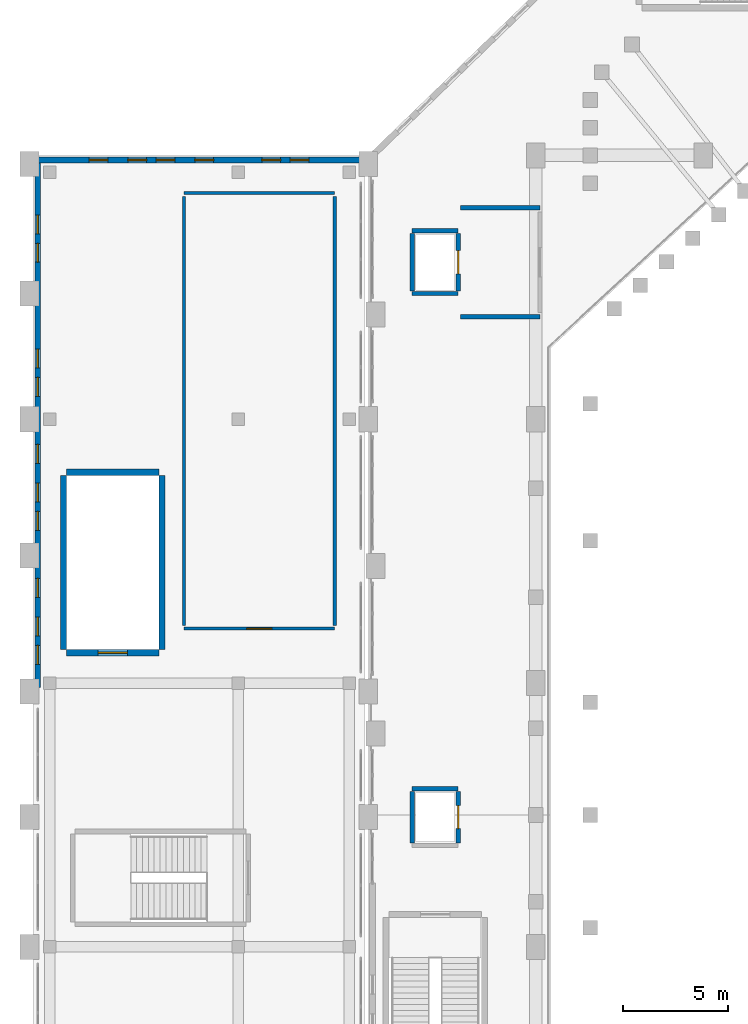
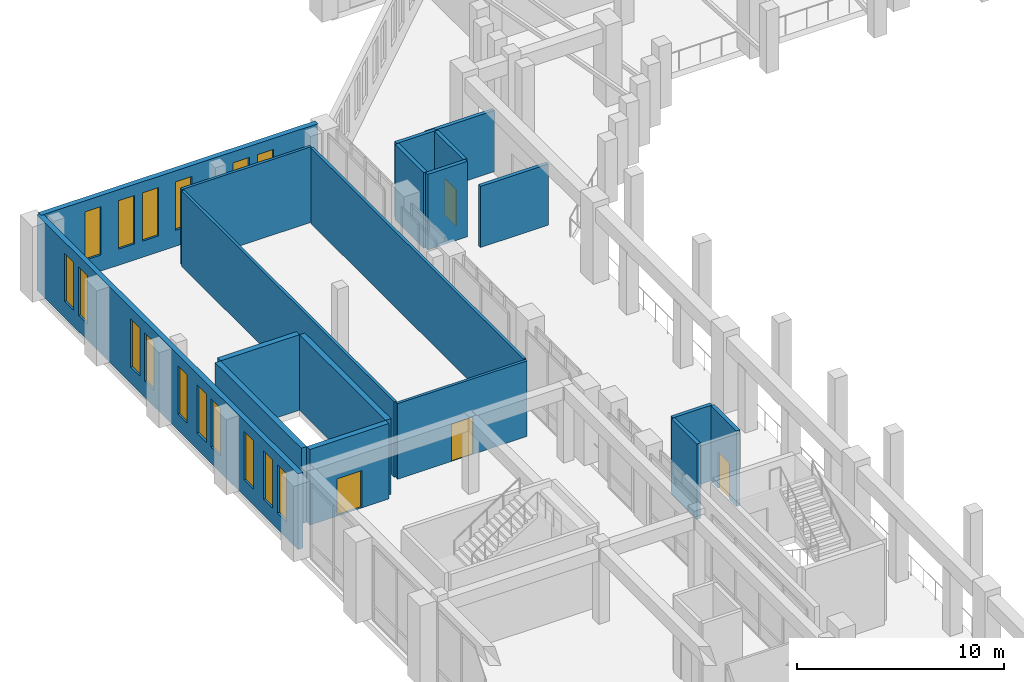
# One storey, part 94 of 126: 19 walls, 16 windows, 4 doors, 20 openings.
"""IFC4 building model written with IfcOpenShell, lengths in metres."""

from ifc_helpers import new_model, si_unit, derived_unit, direction, frame, frame_2d, origin, place, context, subcontext, project, spatial, rectangle, extrude, material, layer, layer_set, type_object, element, fill, save


model = new_model("IFC4")

# Units and contexts
model_context = context("Model", 3, precision=1e-05, world=origin(), true_north=direction((0.0, 1.0)))
body_context = subcontext(model_context, "Body", "Model", "MODEL_VIEW")
ifc_project = project(units=[si_unit("LENGTHUNIT", "METRE"), si_unit("AREAUNIT", "SQUARE_METRE"), si_unit("VOLUMEUNIT", "CUBIC_METRE"), si_unit("PLANEANGLEUNIT", "RADIAN"), si_unit("MASSUNIT", "GRAM", prefix="KILO"), derived_unit("THERMALTRANSMITTANCEUNIT", [(si_unit("MASSUNIT", "GRAM", prefix="KILO"), 1), (si_unit("TIMEUNIT", "SECOND"), -3), (si_unit("THERMODYNAMICTEMPERATUREUNIT", "KELVIN"), -1)])], contexts=[model_context])

# Site, building, storey
site_placement = place(None, origin())
site = spatial("IfcSite", under=ifc_project, at=site_placement, CompositionType="ELEMENT")
building_placement = place(site_placement, origin())
building = spatial("IfcBuilding", under=site, at=building_placement, Name="Valcora Ridge Arena", CompositionType="ELEMENT")
storey_placement = place(building_placement, frame((0.0, 0.0, 11.39990234375)))
storey = spatial("IfcBuildingStorey", under=building, at=storey_placement, Name="L02", CompositionType="ELEMENT", Elevation=11.39990234375)

# Wall, openings, windows
ifc_material_1 = material(Name="Bush-hammered Andean travertine on concrete backup C40/50", Category="masonry")
ifc_layer_1 = layer(ifc_material_1, 0.280029296875, Name="Bush-hammered Andean travertine on concrete backup C40/50")
ifc_layer_set_1 = layer_set([ifc_layer_1], Name="Bush-hammered Andean travertine on concrete backup C40/50")
wall_type_1 = type_object("IfcWallType", Name="TY-WALL-EW-TRV-28-44", PredefinedType="STANDARD", material=ifc_layer_set_1)
wall_1_placement = place(storey_placement, frame((0.219970703125, 70.199951171875, 0.0), z_axis=(0.0, 0.0, 1.0), x_axis=(0.0, 1.0, 0.0)))
wall_1 = element("IfcWall", 1, at=wall_1_placement, inside=storey, type_object=wall_type_1, Name="EW-TRV-28-44 WAL-EW-0088", PredefinedType="STANDARD", context=body_context, shape_type="SweptSolid", body=[
    extrude(rectangle(XDim=25.179931640625, YDim=0.280029296875, at=frame_2d((12.58984375, 0.0))), origin(), (0.0, 0.0, 1.0), 4.4501953125),
])
opening_1_placement = place(wall_1_placement, frame((1.10009765625, 0.0, 0.949951171875)))
opening_1 = element("IfcOpeningElement", 2, at=opening_1_placement, cuts=wall_1, Name="Opening W-GLAN-90X285", PredefinedType="OPENING", context=body_context, shape_type="SweptSolid", body=[
    extrude(rectangle(XDim=0.89990234375, YDim=2.85009765625, at=frame_2d((0.449951171875, 1.425048828125))), frame((0.0, 0.14990234375, 0.0), z_axis=(0.0, -1.0, 0.0), x_axis=(1.0, 0.0, 0.0)), (0.0, 0.0, 1.0), 0.300048828125),
])
opening_2_placement = place(wall_1_placement, frame((2.449951171875, 0.0, 0.949951171875)))
opening_2 = element("IfcOpeningElement", 3, at=opening_2_placement, cuts=wall_1, Name="Opening W-GLAN-90X285", PredefinedType="OPENING", context=body_context, shape_type="SweptSolid", body=[
    extrude(rectangle(XDim=0.89990234375, YDim=2.85009765625, at=frame_2d((0.449951171875, 1.425048828125))), frame((0.0, 0.14990234375, 0.0), z_axis=(0.0, -1.0, 0.0), x_axis=(1.0, 0.0, 0.0)), (0.0, 0.0, 1.0), 0.300048828125),
])
opening_3_placement = place(wall_1_placement, frame((4.300048828125, 0.0, 0.949951171875)))
opening_3 = element("IfcOpeningElement", 4, at=opening_3_placement, cuts=wall_1, Name="Opening W-GLAN-90X285", PredefinedType="OPENING", context=body_context, shape_type="SweptSolid", body=[
    extrude(rectangle(XDim=0.89990234375, YDim=2.85009765625, at=frame_2d((0.449951171875, 1.425048828125))), frame((0.0, 0.14990234375, 0.0), z_axis=(0.0, -1.0, 0.0), x_axis=(1.0, 0.0, 0.0)), (0.0, 0.0, 1.0), 0.300048828125),
])
opening_4_placement = place(wall_1_placement, frame((7.5, 0.0, 0.949951171875)))
opening_4 = element("IfcOpeningElement", 5, at=opening_4_placement, cuts=wall_1, Name="Opening W-GLAN-90X285", PredefinedType="OPENING", context=body_context, shape_type="SweptSolid", body=[
    extrude(rectangle(XDim=0.89990234375, YDim=2.85009765625, at=frame_2d((0.449951171875, 1.425048828125))), frame((0.0, 0.14990234375, 0.0), z_axis=(0.0, -1.0, 0.0), x_axis=(1.0, 0.0, 0.0)), (0.0, 0.0, 1.0), 0.300048828125),
])
opening_5_placement = place(wall_1_placement, frame((8.85009765625, 0.0, 0.949951171875)))
opening_5 = element("IfcOpeningElement", 6, at=opening_5_placement, cuts=wall_1, Name="Opening W-GLAN-90X285", PredefinedType="OPENING", context=body_context, shape_type="SweptSolid", body=[
    extrude(rectangle(XDim=0.89990234375, YDim=2.85009765625, at=frame_2d((0.449951171875, 1.425048828125))), frame((0.0, 0.14990234375, 0.0), z_axis=(0.0, -1.0, 0.0), x_axis=(1.0, 0.0, 0.0)), (0.0, 0.0, 1.0), 0.300048828125),
])
opening_6_placement = place(wall_1_placement, frame((10.699951171875, 0.0, 0.949951171875)))
opening_6 = element("IfcOpeningElement", 7, at=opening_6_placement, cuts=wall_1, Name="Opening W-GLAN-90X285", PredefinedType="OPENING", context=body_context, shape_type="SweptSolid", body=[
    extrude(rectangle(XDim=0.89990234375, YDim=2.85009765625, at=frame_2d((0.449951171875, 1.425048828125))), frame((0.0, 0.14990234375, 0.0), z_axis=(0.0, -1.0, 0.0), x_axis=(1.0, 0.0, 0.0)), (0.0, 0.0, 1.0), 0.300048828125),
])
opening_7_placement = place(wall_1_placement, frame((13.89990234375, 0.0, 0.949951171875)))
opening_7 = element("IfcOpeningElement", 8, at=opening_7_placement, cuts=wall_1, Name="Opening W-GLAN-90X285", PredefinedType="OPENING", context=body_context, shape_type="SweptSolid", body=[
    extrude(rectangle(XDim=0.89990234375, YDim=2.85009765625, at=frame_2d((0.449951171875, 1.425048828125))), frame((0.0, 0.14990234375, 0.0), z_axis=(0.0, -1.0, 0.0), x_axis=(1.0, 0.0, 0.0)), (0.0, 0.0, 1.0), 0.300048828125),
])
opening_8_placement = place(wall_1_placement, frame((15.25, 0.0, 0.949951171875)))
opening_8 = element("IfcOpeningElement", 9, at=opening_8_placement, cuts=wall_1, Name="Opening W-GLAN-90X285", PredefinedType="OPENING", context=body_context, shape_type="SweptSolid", body=[
    extrude(rectangle(XDim=0.89990234375, YDim=2.85009765625, at=frame_2d((0.449951171875, 1.425048828125))), frame((0.0, 0.14990234375, 0.0), z_axis=(0.0, -1.0, 0.0), x_axis=(1.0, 0.0, 0.0)), (0.0, 0.0, 1.0), 0.300048828125),
])
opening_9_placement = place(wall_1_placement, frame((20.300048828125, 0.0, 0.949951171875)))
opening_9 = element("IfcOpeningElement", 10, at=opening_9_placement, cuts=wall_1, Name="Opening W-GLAN-90X285", PredefinedType="OPENING", context=body_context, shape_type="SweptSolid", body=[
    extrude(rectangle(XDim=0.89990234375, YDim=2.85009765625, at=frame_2d((0.449951171875, 1.425048828125))), frame((0.0, 0.14990234375, 0.0), z_axis=(0.0, -1.0, 0.0), x_axis=(1.0, 0.0, 0.0)), (0.0, 0.0, 1.0), 0.300048828125),
])
opening_10_placement = place(wall_1_placement, frame((21.64990234375, 0.0, 0.949951171875)))
opening_10 = element("IfcOpeningElement", 11, at=opening_10_placement, cuts=wall_1, Name="Opening W-GLAN-90X285", PredefinedType="OPENING", context=body_context, shape_type="SweptSolid", body=[
    extrude(rectangle(XDim=0.89990234375, YDim=2.85009765625, at=frame_2d((0.449951171875, 1.425048828125))), frame((0.0, 0.14990234375, 0.0), z_axis=(0.0, -1.0, 0.0), x_axis=(1.0, 0.0, 0.0)), (0.0, 0.0, 1.0), 0.300048828125),
])
ifc_material_2 = material(Name="Low-iron solar-control double glazing SHGC 0.28", Category="glass")
window_type = type_object("IfcWindowType", Name="TY-WINDOW-W-GLAN-90X285", PartitioningType="DOUBLE_PANEL_VERTICAL", PredefinedType="WINDOW", material=ifc_material_2)
window_1_placement = place(opening_1_placement, origin())
window_1 = element("IfcWindow", 12, at=window_1_placement, inside=storey, type_object=window_type, Name="W-GLAN-90X285 WIN-EX-0265", OverallHeight=2.85009765625, OverallWidth=0.89990234375, PartitioningType="DOUBLE_PANEL_VERTICAL", PredefinedType="WINDOW", context=body_context, shape_type="SweptSolid", body=[
    extrude(rectangle(XDim=0.89990234375, YDim=2.85009765625, at=frame_2d((0.449951171875, 1.425048828125))), frame((0.0, 0.030029296875, 0.0), z_axis=(0.0, -1.0, 0.0), x_axis=(1.0, 0.0, 0.0)), (0.0, 0.0, 1.0), 0.06005859375),
])
fill(opening_1, window_1)
window_2_placement = place(opening_2_placement, origin())
window_2 = element("IfcWindow", 13, at=window_2_placement, inside=storey, type_object=window_type, Name="W-GLAN-90X285 WIN-EX-0266", OverallHeight=2.85009765625, OverallWidth=0.89990234375, PartitioningType="DOUBLE_PANEL_VERTICAL", PredefinedType="WINDOW", context=body_context, shape_type="SweptSolid", body=[
    extrude(rectangle(XDim=0.89990234375, YDim=2.85009765625, at=frame_2d((0.449951171875, 1.425048828125))), frame((0.0, 0.030029296875, 0.0), z_axis=(0.0, -1.0, 0.0), x_axis=(1.0, 0.0, 0.0)), (0.0, 0.0, 1.0), 0.06005859375),
])
fill(opening_2, window_2)
window_3_placement = place(opening_3_placement, origin())
window_3 = element("IfcWindow", 14, at=window_3_placement, inside=storey, type_object=window_type, Name="W-GLAN-90X285 WIN-EX-0267", OverallHeight=2.85009765625, OverallWidth=0.89990234375, PartitioningType="DOUBLE_PANEL_VERTICAL", PredefinedType="WINDOW", context=body_context, shape_type="SweptSolid", body=[
    extrude(rectangle(XDim=0.89990234375, YDim=2.85009765625, at=frame_2d((0.449951171875, 1.425048828125))), frame((0.0, 0.030029296875, 0.0), z_axis=(0.0, -1.0, 0.0), x_axis=(1.0, 0.0, 0.0)), (0.0, 0.0, 1.0), 0.06005859375),
])
fill(opening_3, window_3)
window_4_placement = place(opening_4_placement, origin())
window_4 = element("IfcWindow", 15, at=window_4_placement, inside=storey, type_object=window_type, Name="W-GLAN-90X285 WIN-EX-0268", OverallHeight=2.85009765625, OverallWidth=0.89990234375, PartitioningType="DOUBLE_PANEL_VERTICAL", PredefinedType="WINDOW", context=body_context, shape_type="SweptSolid", body=[
    extrude(rectangle(XDim=0.89990234375, YDim=2.85009765625, at=frame_2d((0.449951171875, 1.425048828125))), frame((0.0, 0.030029296875, 0.0), z_axis=(0.0, -1.0, 0.0), x_axis=(1.0, 0.0, 0.0)), (0.0, 0.0, 1.0), 0.06005859375),
])
fill(opening_4, window_4)
window_5_placement = place(opening_5_placement, origin())
window_5 = element("IfcWindow", 16, at=window_5_placement, inside=storey, type_object=window_type, Name="W-GLAN-90X285 WIN-EX-0269", OverallHeight=2.85009765625, OverallWidth=0.89990234375, PartitioningType="DOUBLE_PANEL_VERTICAL", PredefinedType="WINDOW", context=body_context, shape_type="SweptSolid", body=[
    extrude(rectangle(XDim=0.89990234375, YDim=2.85009765625, at=frame_2d((0.449951171875, 1.425048828125))), frame((0.0, 0.030029296875, 0.0), z_axis=(0.0, -1.0, 0.0), x_axis=(1.0, 0.0, 0.0)), (0.0, 0.0, 1.0), 0.06005859375),
])
fill(opening_5, window_5)
window_6_placement = place(opening_6_placement, origin())
window_6 = element("IfcWindow", 17, at=window_6_placement, inside=storey, type_object=window_type, Name="W-GLAN-90X285 WIN-EX-0270", OverallHeight=2.85009765625, OverallWidth=0.89990234375, PartitioningType="DOUBLE_PANEL_VERTICAL", PredefinedType="WINDOW", context=body_context, shape_type="SweptSolid", body=[
    extrude(rectangle(XDim=0.89990234375, YDim=2.85009765625, at=frame_2d((0.449951171875, 1.425048828125))), frame((0.0, 0.030029296875, 0.0), z_axis=(0.0, -1.0, 0.0), x_axis=(1.0, 0.0, 0.0)), (0.0, 0.0, 1.0), 0.06005859375),
])
fill(opening_6, window_6)
window_7_placement = place(opening_7_placement, origin())
window_7 = element("IfcWindow", 18, at=window_7_placement, inside=storey, type_object=window_type, Name="W-GLAN-90X285 WIN-EX-0271", OverallHeight=2.85009765625, OverallWidth=0.89990234375, PartitioningType="DOUBLE_PANEL_VERTICAL", PredefinedType="WINDOW", context=body_context, shape_type="SweptSolid", body=[
    extrude(rectangle(XDim=0.89990234375, YDim=2.85009765625, at=frame_2d((0.449951171875, 1.425048828125))), frame((0.0, 0.030029296875, 0.0), z_axis=(0.0, -1.0, 0.0), x_axis=(1.0, 0.0, 0.0)), (0.0, 0.0, 1.0), 0.06005859375),
])
fill(opening_7, window_7)
window_8_placement = place(opening_8_placement, origin())
window_8 = element("IfcWindow", 19, at=window_8_placement, inside=storey, type_object=window_type, Name="W-GLAN-90X285 WIN-EX-0272", OverallHeight=2.85009765625, OverallWidth=0.89990234375, PartitioningType="DOUBLE_PANEL_VERTICAL", PredefinedType="WINDOW", context=body_context, shape_type="SweptSolid", body=[
    extrude(rectangle(XDim=0.89990234375, YDim=2.85009765625, at=frame_2d((0.449951171875, 1.425048828125))), frame((0.0, 0.030029296875, 0.0), z_axis=(0.0, -1.0, 0.0), x_axis=(1.0, 0.0, 0.0)), (0.0, 0.0, 1.0), 0.06005859375),
])
fill(opening_8, window_8)
window_9_placement = place(opening_9_placement, origin())
window_9 = element("IfcWindow", 20, at=window_9_placement, inside=storey, type_object=window_type, Name="W-GLAN-90X285 WIN-EX-0273", OverallHeight=2.85009765625, OverallWidth=0.89990234375, PartitioningType="DOUBLE_PANEL_VERTICAL", PredefinedType="WINDOW", context=body_context, shape_type="SweptSolid", body=[
    extrude(rectangle(XDim=0.89990234375, YDim=2.85009765625, at=frame_2d((0.449951171875, 1.425048828125))), frame((0.0, 0.030029296875, 0.0), z_axis=(0.0, -1.0, 0.0), x_axis=(1.0, 0.0, 0.0)), (0.0, 0.0, 1.0), 0.06005859375),
])
fill(opening_9, window_9)
window_10_placement = place(opening_10_placement, origin())
window_10 = element("IfcWindow", 21, at=window_10_placement, inside=storey, type_object=window_type, Name="W-GLAN-90X285 WIN-EX-0274", OverallHeight=2.85009765625, OverallWidth=0.89990234375, PartitioningType="DOUBLE_PANEL_VERTICAL", PredefinedType="WINDOW", context=body_context, shape_type="SweptSolid", body=[
    extrude(rectangle(XDim=0.89990234375, YDim=2.85009765625, at=frame_2d((0.449951171875, 1.425048828125))), frame((0.0, 0.030029296875, 0.0), z_axis=(0.0, -1.0, 0.0), x_axis=(1.0, 0.0, 0.0)), (0.0, 0.0, 1.0), 0.06005859375),
])
fill(opening_10, window_10)

wall_2_placement = place(storey_placement, frame((0.219970703125, 95.3798828125, 0.0), z_axis=(0.0, 0.0, 1.0), x_axis=(1.0, 0.0, 0.0)))
wall_2 = element("IfcWall", 22, at=wall_2_placement, inside=storey, type_object=wall_type_1, Name="EW-TRV-28-44 WAL-EW-0089", PredefinedType="STANDARD", context=body_context, shape_type="SweptSolid", body=[
    extrude(rectangle(XDim=15.429931640625, YDim=0.280029296875, at=frame_2d((7.71484375, 0.0))), origin(), (0.0, 0.0, 1.0), 4.4501953125),
])
opening_11_placement = place(wall_2_placement, frame((2.449951171875, 0.0, 0.949951171875)))
opening_11 = element("IfcOpeningElement", 23, at=opening_11_placement, cuts=wall_2, Name="Opening W-GLAN-90X285", PredefinedType="OPENING", context=body_context, shape_type="SweptSolid", body=[
    extrude(rectangle(XDim=0.89990234375, YDim=2.85009765625, at=frame_2d((0.449951171875, 1.425048828125))), frame((0.0, 0.14990234375, 0.0), z_axis=(0.0, -1.0, 0.0), x_axis=(1.0, 0.0, 0.0)), (0.0, 0.0, 1.0), 0.300048828125),
])
opening_12_placement = place(wall_2_placement, frame((4.300048828125, 0.0, 0.949951171875)))
opening_12 = element("IfcOpeningElement", 24, at=opening_12_placement, cuts=wall_2, Name="Opening W-GLAN-90X285", PredefinedType="OPENING", context=body_context, shape_type="SweptSolid", body=[
    extrude(rectangle(XDim=0.89990234375, YDim=2.85009765625, at=frame_2d((0.449951171875, 1.425048828125))), frame((0.0, 0.14990234375, 0.0), z_axis=(0.0, -1.0, 0.0), x_axis=(1.0, 0.0, 0.0)), (0.0, 0.0, 1.0), 0.300048828125),
])
opening_13_placement = place(wall_2_placement, frame((5.64990234375, 0.0, 0.949951171875)))
opening_13 = element("IfcOpeningElement", 25, at=opening_13_placement, cuts=wall_2, Name="Opening W-GLAN-90X285", PredefinedType="OPENING", context=body_context, shape_type="SweptSolid", body=[
    extrude(rectangle(XDim=0.89990234375, YDim=2.85009765625, at=frame_2d((0.449951171875, 1.425048828125))), frame((0.0, 0.14990234375, 0.0), z_axis=(0.0, -1.0, 0.0), x_axis=(1.0, 0.0, 0.0)), (0.0, 0.0, 1.0), 0.300048828125),
])
opening_14_placement = place(wall_2_placement, frame((7.5, 0.0, 0.949951171875)))
opening_14 = element("IfcOpeningElement", 26, at=opening_14_placement, cuts=wall_2, Name="Opening W-GLAN-90X285", PredefinedType="OPENING", context=body_context, shape_type="SweptSolid", body=[
    extrude(rectangle(XDim=0.89990234375, YDim=2.85009765625, at=frame_2d((0.449951171875, 1.425048828125))), frame((0.0, 0.14990234375, 0.0), z_axis=(0.0, -1.0, 0.0), x_axis=(1.0, 0.0, 0.0)), (0.0, 0.0, 1.0), 0.300048828125),
])
opening_15_placement = place(wall_2_placement, frame((10.699951171875, 0.0, 0.949951171875)))
opening_15 = element("IfcOpeningElement", 27, at=opening_15_placement, cuts=wall_2, Name="Opening W-GLAN-90X285", PredefinedType="OPENING", context=body_context, shape_type="SweptSolid", body=[
    extrude(rectangle(XDim=0.89990234375, YDim=2.85009765625, at=frame_2d((0.449951171875, 1.425048828125))), frame((0.0, 0.14990234375, 0.0), z_axis=(0.0, -1.0, 0.0), x_axis=(1.0, 0.0, 0.0)), (0.0, 0.0, 1.0), 0.300048828125),
])
opening_16_placement = place(wall_2_placement, frame((12.050048828125, 0.0, 0.949951171875)))
opening_16 = element("IfcOpeningElement", 28, at=opening_16_placement, cuts=wall_2, Name="Opening W-GLAN-90X285", PredefinedType="OPENING", context=body_context, shape_type="SweptSolid", body=[
    extrude(rectangle(XDim=0.89990234375, YDim=2.85009765625, at=frame_2d((0.449951171875, 1.425048828125))), frame((0.0, 0.14990234375, 0.0), z_axis=(0.0, -1.0, 0.0), x_axis=(1.0, 0.0, 0.0)), (0.0, 0.0, 1.0), 0.300048828125),
])
window_11_placement = place(opening_11_placement, origin())
window_11 = element("IfcWindow", 29, at=window_11_placement, inside=storey, type_object=window_type, Name="W-GLAN-90X285 WIN-EX-0275", OverallHeight=2.85009765625, OverallWidth=0.89990234375, PartitioningType="DOUBLE_PANEL_VERTICAL", PredefinedType="WINDOW", context=body_context, shape_type="SweptSolid", body=[
    extrude(rectangle(XDim=0.89990234375, YDim=2.85009765625, at=frame_2d((0.449951171875, 1.425048828125))), frame((0.0, 0.030029296875, 0.0), z_axis=(0.0, -1.0, 0.0), x_axis=(1.0, 0.0, 0.0)), (0.0, 0.0, 1.0), 0.06005859375),
])
fill(opening_11, window_11)
window_12_placement = place(opening_12_placement, origin())
window_12 = element("IfcWindow", 30, at=window_12_placement, inside=storey, type_object=window_type, Name="W-GLAN-90X285 WIN-EX-0276", OverallHeight=2.85009765625, OverallWidth=0.89990234375, PartitioningType="DOUBLE_PANEL_VERTICAL", PredefinedType="WINDOW", context=body_context, shape_type="SweptSolid", body=[
    extrude(rectangle(XDim=0.89990234375, YDim=2.85009765625, at=frame_2d((0.449951171875, 1.425048828125))), frame((0.0, 0.030029296875, 0.0), z_axis=(0.0, -1.0, 0.0), x_axis=(1.0, 0.0, 0.0)), (0.0, 0.0, 1.0), 0.06005859375),
])
fill(opening_12, window_12)
window_13_placement = place(opening_13_placement, origin())
window_13 = element("IfcWindow", 31, at=window_13_placement, inside=storey, type_object=window_type, Name="W-GLAN-90X285 WIN-EX-0277", OverallHeight=2.85009765625, OverallWidth=0.89990234375, PartitioningType="DOUBLE_PANEL_VERTICAL", PredefinedType="WINDOW", context=body_context, shape_type="SweptSolid", body=[
    extrude(rectangle(XDim=0.89990234375, YDim=2.85009765625, at=frame_2d((0.449951171875, 1.425048828125))), frame((0.0, 0.030029296875, 0.0), z_axis=(0.0, -1.0, 0.0), x_axis=(1.0, 0.0, 0.0)), (0.0, 0.0, 1.0), 0.06005859375),
])
fill(opening_13, window_13)
window_14_placement = place(opening_14_placement, origin())
window_14 = element("IfcWindow", 32, at=window_14_placement, inside=storey, type_object=window_type, Name="W-GLAN-90X285 WIN-EX-0278", OverallHeight=2.85009765625, OverallWidth=0.89990234375, PartitioningType="DOUBLE_PANEL_VERTICAL", PredefinedType="WINDOW", context=body_context, shape_type="SweptSolid", body=[
    extrude(rectangle(XDim=0.89990234375, YDim=2.85009765625, at=frame_2d((0.449951171875, 1.425048828125))), frame((0.0, 0.030029296875, 0.0), z_axis=(0.0, -1.0, 0.0), x_axis=(1.0, 0.0, 0.0)), (0.0, 0.0, 1.0), 0.06005859375),
])
fill(opening_14, window_14)
window_15_placement = place(opening_15_placement, origin())
window_15 = element("IfcWindow", 33, at=window_15_placement, inside=storey, type_object=window_type, Name="W-GLAN-90X285 WIN-EX-0279", OverallHeight=2.85009765625, OverallWidth=0.89990234375, PartitioningType="DOUBLE_PANEL_VERTICAL", PredefinedType="WINDOW", context=body_context, shape_type="SweptSolid", body=[
    extrude(rectangle(XDim=0.89990234375, YDim=2.85009765625, at=frame_2d((0.449951171875, 1.425048828125))), frame((0.0, 0.030029296875, 0.0), z_axis=(0.0, -1.0, 0.0), x_axis=(1.0, 0.0, 0.0)), (0.0, 0.0, 1.0), 0.06005859375),
])
fill(opening_15, window_15)
window_16_placement = place(opening_16_placement, origin())
window_16 = element("IfcWindow", 34, at=window_16_placement, inside=storey, type_object=window_type, Name="W-GLAN-90X285 WIN-EX-0280", OverallHeight=2.85009765625, OverallWidth=0.89990234375, PartitioningType="DOUBLE_PANEL_VERTICAL", PredefinedType="WINDOW", context=body_context, shape_type="SweptSolid", body=[
    extrude(rectangle(XDim=0.89990234375, YDim=2.85009765625, at=frame_2d((0.449951171875, 1.425048828125))), frame((0.0, 0.030029296875, 0.0), z_axis=(0.0, -1.0, 0.0), x_axis=(1.0, 0.0, 0.0)), (0.0, 0.0, 1.0), 0.06005859375),
])
fill(opening_16, window_16)

# Wall, opening, door
ifc_material_3 = material(Name="Fire-rated masonry-core compartment wall C35/45 150 mm", Category="masonry")
ifc_layer_2 = layer(ifc_material_3, 0.14990234375, Name="Fire-rated masonry-core compartment wall C35/45 150 mm")
ifc_layer_set_2 = layer_set([ifc_layer_2], Name="Fire-rated masonry-core compartment wall C35/45 150 mm")
wall_type_2 = type_object("IfcWallType", Name="TY-WALL-IW-COMP-150", PredefinedType="STANDARD", material=ifc_layer_set_2)
wall_3_placement = place(storey_placement, frame((7.199951171875, 73.0, 0.0), z_axis=(0.0, 0.0, 1.0), x_axis=(1.0, 0.0, 0.0)))
wall_3 = element("IfcWall", 35, at=wall_3_placement, inside=storey, type_object=wall_type_2, Name="IW-COMP-150 WAL-IN-0383", PredefinedType="STANDARD", context=body_context, shape_type="SweptSolid", body=[
    extrude(rectangle(XDim=7.199951171875, YDim=0.14990234375, at=frame_2d((3.60009765625, 0.0))), origin(), (0.0, 0.0, 1.0), 4.4501953125),
])
opening_17_placement = place(wall_3_placement, frame((3.0, 0.0, 0.0)))
opening_17 = element("IfcOpeningElement", 36, at=opening_17_placement, cuts=wall_3, Name="Opening FD-KIT-1200", PredefinedType="OPENING", context=body_context, shape_type="SweptSolid", body=[
    extrude(rectangle(XDim=1.199951171875, YDim=2.199951171875, at=frame_2d((0.60009765625, 1.10009765625))), frame((0.0, 0.0849609375, 0.0), z_axis=(0.0, -1.0, 0.0), x_axis=(1.0, 0.0, 0.0)), (0.0, 0.0, 1.0), 0.169921875),
])
ifc_material_4 = material(Name="Insulated fire-rated steel door leaf", Category="steel")
door_type_1 = type_object("IfcDoorType", Name="TY-DOOR-FD-KIT-1200", OperationType="NOTDEFINED", PredefinedType="DOOR", material=ifc_material_4)
door_1_placement = place(opening_17_placement, origin())
door_1 = element("IfcDoor", 37, at=door_1_placement, inside=storey, type_object=door_type_1, Name="FD-KIT-1200 DOR-IN-0101", OperationType="SINGLE_SWING_RIGHT", OverallHeight=2.199951171875, OverallWidth=1.199951171875, PredefinedType="DOOR", context=body_context, shape_type="SweptSolid", body=[
    extrude(rectangle(XDim=1.199951171875, YDim=2.199951171875, at=frame_2d((0.60009765625, 1.10009765625))), frame((0.0, 0.02490234375, 0.0), z_axis=(0.0, -1.0, 0.0), x_axis=(1.0, 0.0, 0.0)), (0.0, 0.0, 1.0), 0.050048828125),
])
fill(opening_17, door_1)

# Walls
wall_4_placement = place(storey_placement, frame((7.199951171875, 93.800048828125, 0.0), z_axis=(0.0, 0.0, 1.0), x_axis=(1.0, 0.0, 0.0)))
element("IfcWall", 38, at=wall_4_placement, inside=storey, type_object=wall_type_2, Name="IW-COMP-150 WAL-IN-0384", PredefinedType="STANDARD", context=body_context, shape_type="SweptSolid", body=[
    extrude(rectangle(XDim=7.199951171875, YDim=0.14990234375, at=frame_2d((3.60009765625, 0.0))), origin(), (0.0, 0.0, 1.0), 4.4501953125),
])
for number, where, z_axis, x_axis, name in (
    (39, (7.199951171875, 73.14990234375, 0.0), (0.0, 0.0, 1.0), (0.0, 1.0, 0.0), "IW-COMP-150 WAL-IN-0385"),
    (40, (14.39990234375, 73.14990234375, 0.0), (0.0, 0.0, 1.0), (0.0, 1.0, 0.0), "IW-COMP-150 WAL-IN-0386"),
):
    element("IfcWall", number, at=place(storey_placement, frame(where, z_axis=z_axis, x_axis=x_axis)), inside=storey, type_object=wall_type_2, Name=name, PredefinedType="STANDARD", context=body_context, shape_type="SweptSolid", body=[
        extrude(rectangle(XDim=20.5, YDim=0.14990234375, at=frame_2d((10.25, 0.0))), origin(), (0.0, 0.0, 1.0), 4.4501953125),
    ])
ifc_material_5 = material(Name="Fire-resisting reinforced concrete enclosure C40/50 200 mm", Category="concrete")
ifc_layer_3 = layer(ifc_material_5, 0.199951171875, Name="Fire-resisting reinforced concrete enclosure C40/50 200 mm")
ifc_layer_set_3 = layer_set([ifc_layer_3], Name="Fire-resisting reinforced concrete enclosure C40/50 200 mm")
wall_type_3 = type_object("IfcWallType", Name="TY-WALL-IW-FIRE-200", PredefinedType="STANDARD", material=ifc_layer_set_3)
for number, where, z_axis, x_axis, name in (
    (41, (20.39990234375, 87.89990234375, 0.0), (0.0, 0.0, 1.0), (1.0, 0.0, 0.0), "IW-FIRE-200 WAL-IN-0031"),
    (42, (20.39990234375, 93.10009765625, 0.0), (0.0, 0.0, 1.0), (1.0, 0.0, 0.0), "IW-FIRE-200 WAL-IN-0032"),
):
    element("IfcWall", number, at=place(storey_placement, frame(where, z_axis=z_axis, x_axis=x_axis)), inside=storey, type_object=wall_type_3, Name=name, PredefinedType="STANDARD", context=body_context, shape_type="SweptSolid", body=[
        extrude(rectangle(XDim=3.800048828125, YDim=0.199951171875, at=frame_2d((1.89990234375, 0.0))), origin(), (0.0, 0.0, 1.0), 3.60009765625),
    ])
ifc_material_6 = material(Name="Concrete C40/50", Category="concrete")
ifc_layer_4 = layer(ifc_material_6, 0.199951171875, Name="Concrete C40/50")
ifc_layer_set_4 = layer_set([ifc_layer_4], Name="Concrete C40/50")
wall_type_4 = type_object("IfcWallType", Name="TY-WALL-IW-SHF-200", PredefinedType="STANDARD", material=ifc_layer_set_4)
for number, where, z_axis, x_axis, name in (
    (43, (18.10009765625, 89.0, 0.0), (0.0, 0.0, 1.0), (1.0, 0.0, 0.0), "IW-SHF-200 WAL-SH-0041"),
    (44, (18.10009765625, 92.0, 0.0), (0.0, 0.0, 1.0), (1.0, 0.0, 0.0), "IW-SHF-200 WAL-SH-0042"),
):
    element("IfcWall", number, at=place(storey_placement, frame(where, z_axis=z_axis, x_axis=x_axis)), inside=storey, type_object=wall_type_4, Name=name, PredefinedType="STANDARD", context=body_context, shape_type="SweptSolid", body=[
        extrude(rectangle(XDim=2.199951171875, YDim=0.199951171875, at=frame_2d((1.10009765625, 0.0))), origin(), (0.0, 0.0, 1.0), 4.4501953125),
    ])
wall_5_placement = place(storey_placement, frame((18.10009765625, 89.1201171875, 0.0), z_axis=(0.0, 0.0, 1.0), x_axis=(0.0, 1.0, 0.0)))
element("IfcWall", 45, at=wall_5_placement, inside=storey, type_object=wall_type_4, Name="IW-SHF-200 WAL-SH-0043", PredefinedType="STANDARD", context=body_context, shape_type="SweptSolid", body=[
    extrude(rectangle(XDim=2.759765625, YDim=0.199951171875, at=frame_2d((1.3798828125, 0.0))), origin(), (0.0, 0.0, 1.0), 4.4501953125),
])

# Wall, opening, door
wall_6_placement = place(storey_placement, frame((20.300048828125, 89.1201171875, 0.0), z_axis=(0.0, 0.0, 1.0), x_axis=(0.0, 1.0, 0.0)))
wall_6 = element("IfcWall", 46, at=wall_6_placement, inside=storey, type_object=wall_type_4, Name="IW-SHF-200 WAL-SH-0044", PredefinedType="STANDARD", context=body_context, shape_type="SweptSolid", body=[
    extrude(rectangle(XDim=2.759765625, YDim=0.199951171875, at=frame_2d((1.3798828125, 0.0))), origin(), (0.0, 0.0, 1.0), 4.4501953125),
])
opening_18_placement = place(wall_6_placement, frame((0.830078125, 0.0, 0.0)))
opening_18 = element("IfcOpeningElement", 47, at=opening_18_placement, cuts=wall_6, Name="Opening LD-FF", PredefinedType="OPENING", context=body_context, shape_type="SweptSolid", body=[
    extrude(rectangle(XDim=1.10009765625, YDim=2.14990234375, at=frame_2d((0.550048828125, 1.074951171875))), frame((0.0, 0.10986328125, 0.0), z_axis=(0.0, -1.0, 0.0), x_axis=(1.0, 0.0, 0.0)), (0.0, 0.0, 1.0), 0.219970703125),
])
ifc_material_7 = material(Name="Insulated fire-rated hollow metal steel", Category="steel")
door_type_2 = type_object("IfcDoorType", Name="TY-DOOR-LD-FF", OperationType="NOTDEFINED", PredefinedType="DOOR", material=ifc_material_7)
door_2_placement = place(opening_18_placement, origin())
door_2 = element("IfcDoor", 48, at=door_2_placement, inside=storey, type_object=door_type_2, Name="FFL2 Landing Door L02", OperationType="SLIDING_TO_LEFT", OverallHeight=2.14990234375, OverallWidth=1.10009765625, PredefinedType="DOOR", context=body_context, shape_type="SweptSolid", body=[
    extrude(rectangle(XDim=1.10009765625, YDim=2.14990234375, at=frame_2d((0.550048828125, 1.074951171875))), frame((0.0, 0.02490234375, 0.0), z_axis=(0.0, -1.0, 0.0), x_axis=(1.0, 0.0, 0.0)), (0.0, 0.0, 1.0), 0.050048828125),
])
fill(opening_18, door_2)

# Walls
wall_7_placement = place(storey_placement, frame((18.10009765625, 65.35009765625, 0.0), z_axis=(0.0, 0.0, 1.0), x_axis=(1.0, 0.0, 0.0)))
element("IfcWall", 49, at=wall_7_placement, inside=storey, type_object=wall_type_4, Name="IW-SHF-200 WAL-SH-0218", PredefinedType="STANDARD", context=body_context, shape_type="SweptSolid", body=[
    extrude(rectangle(XDim=2.199951171875, YDim=0.199951171875, at=frame_2d((1.10009765625, 0.0))), origin(), (0.0, 0.0, 1.0), 4.4501953125),
])
wall_8_placement = place(storey_placement, frame((18.10009765625, 62.77001953125, 0.0), z_axis=(0.0, 0.0, 1.0), x_axis=(0.0, 1.0, 0.0)))
element("IfcWall", 50, at=wall_8_placement, inside=storey, type_object=wall_type_4, Name="IW-SHF-200 WAL-SH-0219", PredefinedType="STANDARD", context=body_context, shape_type="SweptSolid", body=[
    extrude(rectangle(XDim=2.4599609375, YDim=0.199951171875, at=frame_2d((1.22998046875, 0.0))), origin(), (0.0, 0.0, 1.0), 4.4501953125),
])

# Wall, opening, door
wall_9_placement = place(storey_placement, frame((20.300048828125, 62.77001953125, 0.0), z_axis=(0.0, 0.0, 1.0), x_axis=(0.0, 1.0, 0.0)))
wall_9 = element("IfcWall", 51, at=wall_9_placement, inside=storey, type_object=wall_type_4, Name="IW-SHF-200 WAL-SH-0220", PredefinedType="STANDARD", context=body_context, shape_type="SweptSolid", body=[
    extrude(rectangle(XDim=2.4599609375, YDim=0.199951171875, at=frame_2d((1.22998046875, 0.0))), origin(), (0.0, 0.0, 1.0), 4.4501953125),
])
opening_19_placement = place(wall_9_placement, frame((0.679931640625, 0.0, 0.0)))
opening_19 = element("IfcOpeningElement", 52, at=opening_19_placement, cuts=wall_9, Name="Opening LD-PAX", PredefinedType="OPENING", context=body_context, shape_type="SweptSolid", body=[
    extrude(rectangle(XDim=1.10009765625, YDim=2.14990234375, at=frame_2d((0.550048828125, 1.074951171875))), frame((0.0, 0.10986328125, 0.0), z_axis=(0.0, -1.0, 0.0), x_axis=(1.0, 0.0, 0.0)), (0.0, 0.0, 1.0), 0.219970703125),
])
door_type_3 = type_object("IfcDoorType", Name="TY-DOOR-LD-PAX", OperationType="NOTDEFINED", PredefinedType="DOOR", material=ifc_material_7)
door_3_placement = place(opening_19_placement, origin())
door_3 = element("IfcDoor", 53, at=door_3_placement, inside=storey, type_object=door_type_3, Name="CL3 Landing Door L02", OperationType="SLIDING_TO_LEFT", OverallHeight=2.14990234375, OverallWidth=1.10009765625, PredefinedType="DOOR", context=body_context, shape_type="SweptSolid", body=[
    extrude(rectangle(XDim=1.10009765625, YDim=2.14990234375, at=frame_2d((0.550048828125, 1.074951171875))), frame((0.0, 0.02490234375, 0.0), z_axis=(0.0, -1.0, 0.0), x_axis=(1.0, 0.0, 0.0)), (0.0, 0.0, 1.0), 0.050048828125),
])
fill(opening_19, door_3)

# Walls
ifc_material_8 = material(Name="Concrete C45/55", Category="concrete")
ifc_layer_5 = layer(ifc_material_8, 0.300048828125, Name="Concrete C45/55")
ifc_layer_set_5 = layer_set([ifc_layer_5], Name="Concrete C45/55")
wall_type_5 = type_object("IfcWallType", Name="TY-WALL-SW-C300-L", PredefinedType="SHEAR", material=ifc_layer_set_5)
for number, where, z_axis, x_axis, name in (
    (54, (1.449951171875, 72.0, 0.0), (0.0, 0.0, 1.0), (0.0, 1.0, 0.0), "SW-C300-L WAL-CR-0175"),
    (55, (6.14990234375, 72.0, 0.0), (0.0, 0.0, 1.0), (0.0, 1.0, 0.0), "SW-C300-L WAL-CR-0176"),
):
    element("IfcWall", number, at=place(storey_placement, frame(where, z_axis=z_axis, x_axis=x_axis)), inside=storey, type_object=wall_type_5, Name=name, PredefinedType="SHEAR", context=body_context, shape_type="SweptSolid", body=[
        extrude(rectangle(XDim=8.320068359375, YDim=0.300048828125, at=frame_2d((4.16015625, 0.0))), origin(), (0.0, 0.0, 1.0), 4.4501953125),
    ])

# Wall, opening, door
ifc_layer_6 = layer(ifc_material_8, 0.300048828125, Name="Concrete C45/55")
ifc_layer_set_6 = layer_set([ifc_layer_6], Name="Concrete C45/55")
wall_type_6 = type_object("IfcWallType", Name="TY-WALL-SW-C300-S", PredefinedType="SHEAR", material=ifc_layer_set_6)
wall_10_placement = place(storey_placement, frame((1.60009765625, 71.85009765625, 0.0), z_axis=(0.0, 0.0, 1.0), x_axis=(1.0, 0.0, 0.0)))
wall_10 = element("IfcWall", 56, at=wall_10_placement, inside=storey, type_object=wall_type_6, Name="SW-C300-S WAL-CR-0173", PredefinedType="SHEAR", context=body_context, shape_type="SweptSolid", body=[
    extrude(rectangle(XDim=4.39990234375, YDim=0.300048828125, at=frame_2d((2.199951171875, 0.0))), origin(), (0.0, 0.0, 1.0), 4.4501953125),
])
opening_20_placement = place(wall_10_placement, frame((1.5, 0.0, 0.0)))
opening_20 = element("IfcOpeningElement", 57, at=opening_20_placement, cuts=wall_10, Name="Opening FD-01", PredefinedType="OPENING", context=body_context, shape_type="SweptSolid", body=[
    extrude(rectangle(XDim=1.39990234375, YDim=2.199951171875, at=frame_2d((0.699951171875, 1.10009765625))), frame((0.0, 0.159912109375, 0.0), z_axis=(0.0, -1.0, 0.0), x_axis=(1.0, 0.0, 0.0)), (0.0, 0.0, 1.0), 0.320068359375),
])
door_type_4 = type_object("IfcDoorType", Name="TY-DOOR-FD-01", OperationType="NOTDEFINED", PredefinedType="DOOR", material=ifc_material_4)
door_4_placement = place(opening_20_placement, origin())
door_4 = element("IfcDoor", 58, at=door_4_placement, inside=storey, type_object=door_type_4, Name="FD-01 DOR-ST-0044", OperationType="DOUBLE_DOOR_SINGLE_SWING", OverallHeight=2.199951171875, OverallWidth=1.39990234375, PredefinedType="DOOR", context=body_context, shape_type="SweptSolid", body=[
    extrude(rectangle(XDim=1.39990234375, YDim=2.199951171875, at=frame_2d((0.699951171875, 1.10009765625))), frame((0.0, 0.02490234375, 0.0), z_axis=(0.0, -1.0, 0.0), x_axis=(1.0, 0.0, 0.0)), (0.0, 0.0, 1.0), 0.050048828125),
])
fill(opening_20, door_4)

# Wall
wall_11_placement = place(storey_placement, frame((1.60009765625, 80.469970703125, 0.0), z_axis=(0.0, 0.0, 1.0), x_axis=(1.0, 0.0, 0.0)))
element("IfcWall", 59, at=wall_11_placement, inside=storey, type_object=wall_type_6, Name="SW-C300-S WAL-CR-0174", PredefinedType="SHEAR", context=body_context, shape_type="SweptSolid", body=[
    extrude(rectangle(XDim=4.39990234375, YDim=0.300048828125, at=frame_2d((2.199951171875, 0.0))), origin(), (0.0, 0.0, 1.0), 4.4501953125),
])

save(model, "model.ifc")
